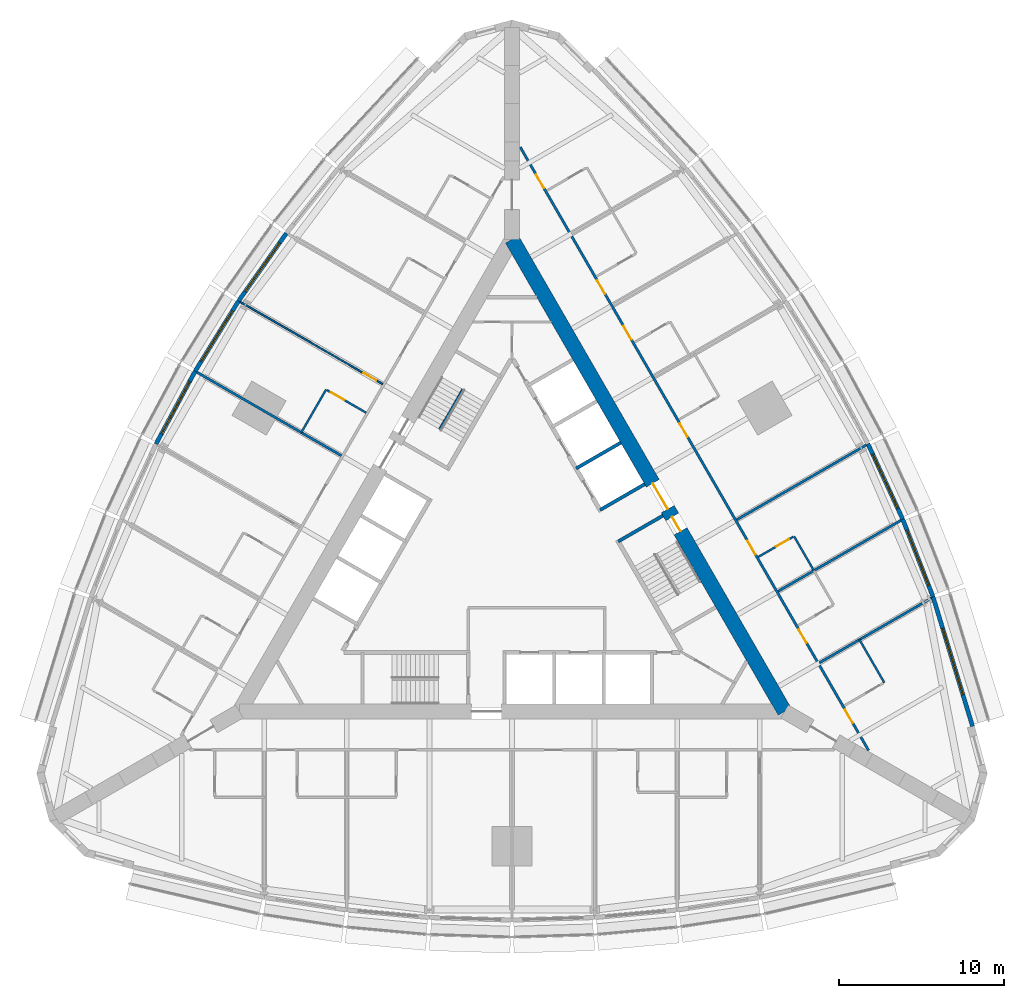
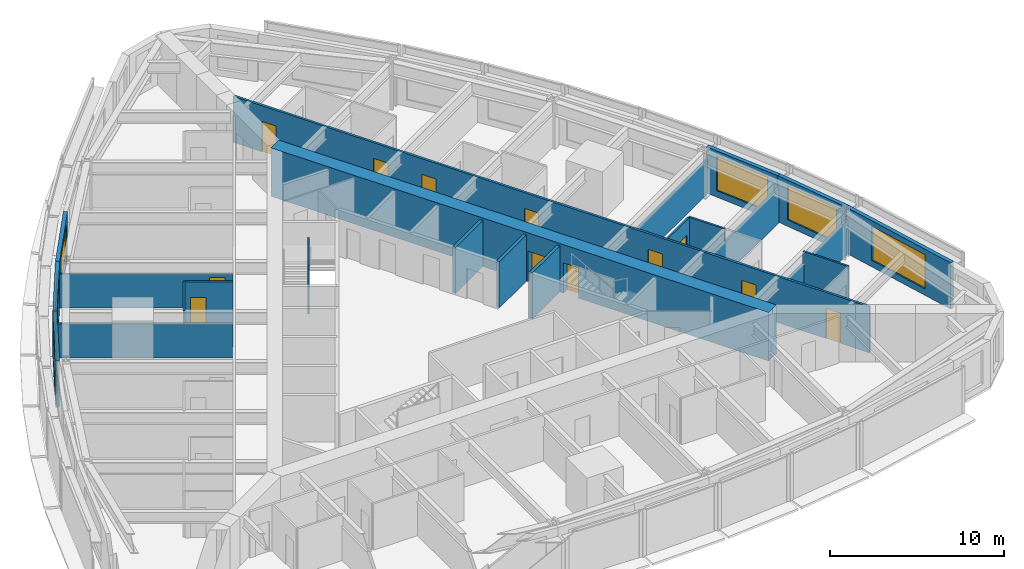
# One storey, part 11 of 14: 22 walls, 12 doors, 6 windows, 18 openings.
"""IFC4 building model written with IfcOpenShell, lengths in metres."""

from ifc_helpers import new_model, si_unit, direction, frame, frame_2d, origin, place, context, subcontext, project, spatial, rectangle, extrude, material, layer, layer_set, type_object, element, fill, save


model = new_model("IFC4")

# Units and contexts
model_context = context("Model", 3, precision=1e-05, world=origin(), true_north=direction((0.0, 1.0)))
body_context = subcontext(model_context, "Body", "Model", "MODEL_VIEW")
ifc_project = project(units=[si_unit("LENGTHUNIT", "METRE"), si_unit("AREAUNIT", "SQUARE_METRE"), si_unit("VOLUMEUNIT", "CUBIC_METRE"), si_unit("PLANEANGLEUNIT", "RADIAN"), si_unit("MASSUNIT", "GRAM", prefix="KILO")], contexts=[model_context])

# Site, building, storey
site_placement = place(None, origin())
site = spatial("IfcSite", under=ifc_project, at=site_placement, CompositionType="ELEMENT")
building_placement = place(site_placement, origin())
building = spatial("IfcBuilding", under=site, at=building_placement, Name="Trikona Tower", CompositionType="ELEMENT")
storey_placement = place(building_placement, frame((0.0, 0.0, 42.10009765625)))
storey = spatial("IfcBuildingStorey", under=building, at=storey_placement, Name="L09", CompositionType="ELEMENT", Elevation=42.10009765625)

# Walls
ifc_material_1 = material(Name="Metal stud and cement board", Category="gypsum")
ifc_layer_1 = layer(ifc_material_1, 0.1201171875)
ifc_layer_set_1 = layer_set([ifc_layer_1], Name="Bathroom wall 120")
wall_type_1 = type_object("IfcWallType", Name="Bathroom wall 120", PredefinedType="PLUMBINGWALL", material=ifc_layer_set_1)
wall_1_placement = place(storey_placement, frame((22.53271484375, -7.775390625, 0.0), z_axis=(0.0, 0.0, 1.0), x_axis=(-0.499990139034, 0.866031096941, 0.0)))
element("IfcWall", 1, at=wall_1_placement, inside=storey, type_object=wall_type_1, Name="Bathroom wall 0906", PredefinedType="PLUMBINGWALL", context=body_context, shape_type="SweptSolid", body=[
    extrude(rectangle(XDim=3.0, YDim=0.1201171875, at=frame_2d((1.5, 0.0))), origin(), (0.0, 0.0, 1.0), 3.23486328125),
])
wall_2_placement = place(storey_placement, frame((18.27294921875, -0.9970703125, 0.0), z_axis=(0.0, 0.0, 1.0), x_axis=(-0.500001309137, 0.866024647952, 0.0)))
element("IfcWall", 2, at=wall_2_placement, inside=storey, type_object=wall_type_1, Name="Bathroom wall 0908", PredefinedType="PLUMBINGWALL", context=body_context, shape_type="SweptSolid", body=[
    extrude(rectangle(XDim=2.39990234375, YDim=0.1201171875, at=frame_2d((1.199951171875, 0.0))), origin(), (0.0, 0.0, 1.0), 3.23486328125),
])

# Wall, opening, door
wall_3_placement = place(storey_placement, frame((14.907958984375, -0.168701171875, 0.0), z_axis=(0.0, 0.0, 1.0), x_axis=(0.866023955769, 0.500002508028, 0.0)))
wall_3 = element("IfcWall", 3, at=wall_3_placement, inside=storey, type_object=wall_type_1, Name="Bathroom wall 0908", PredefinedType="PLUMBINGWALL", context=body_context, shape_type="SweptSolid", body=[
    extrude(rectangle(XDim=2.43994140625, YDim=0.1201171875, at=frame_2d((1.219970703125, 0.0))), origin(), (0.0, 0.0, 1.0), 3.23486328125),
])
opening_1_placement = place(wall_3_placement, frame((1.25, 0.0, 0.0)))
opening_1 = element("IfcOpeningElement", 4, at=opening_1_placement, cuts=wall_3, Name="Opening D2", PredefinedType="OPENING", context=body_context, shape_type="SweptSolid", body=[
    extrude(rectangle(XDim=0.89990234375, YDim=2.1298828125, at=frame_2d((0.449951171875, 1.06494140625))), frame((0.0, 0.070068359375, 0.0), z_axis=(0.0, -1.0, 0.0), x_axis=(1.0, 0.0, 0.0)), (0.0, 0.0, 1.0), 0.14013671875),
])
ifc_material_2 = material(Name="Steel door frame with solid-core timber leaf", Category="steel")
door_type_1 = type_object("IfcDoorType", Name="Bathroom door 900x2130", OperationType="SLIDING_TO_LEFT", PredefinedType="DOOR", material=ifc_material_2)
door_1_placement = place(opening_1_placement, origin())
door_1 = element("IfcDoor", 5, at=door_1_placement, inside=storey, type_object=door_type_1, Name="Bathroom door 0908", OperationType="SLIDING_TO_LEFT", OverallHeight=2.1298828125, OverallWidth=0.89990234375, PredefinedType="DOOR", context=body_context, shape_type="SweptSolid", body=[
    extrude(rectangle(XDim=0.89990234375, YDim=2.1298828125, at=frame_2d((0.449951171875, 1.06494140625))), frame((0.0, 0.02490234375, 0.0), z_axis=(0.0, -1.0, 0.0), x_axis=(1.0, 0.0, 0.0)), (0.0, 0.0, 1.0), 0.050048828125),
])
fill(opening_1, door_1)

# Wall
wall_4_placement = place(storey_placement, frame((-11.25341796875, 9.961181640625, 0.0), z_axis=(0.0, 0.0, 1.0), x_axis=(-0.499990139034, -0.866031096941, 0.0)))
element("IfcWall", 6, at=wall_4_placement, inside=storey, type_object=wall_type_1, Name="Bathroom wall 0915.1", PredefinedType="PLUMBINGWALL", context=body_context, shape_type="SweptSolid", body=[
    extrude(rectangle(XDim=3.0, YDim=0.1201171875, at=frame_2d((1.5, 0.0))), origin(), (0.0, 0.0, 1.0), 3.23486328125),
])

# Wall, opening, door
wall_5_placement = place(storey_placement, frame((-8.82861328125, 8.561279296875, 0.0), z_axis=(0.0, 0.0, 1.0), x_axis=(-0.866035715982, 0.499982138324, 0.0)))
wall_5 = element("IfcWall", 7, at=wall_5_placement, inside=storey, type_object=wall_type_1, Name="Bathroom wall 0915.1", PredefinedType="PLUMBINGWALL", context=body_context, shape_type="SweptSolid", body=[
    extrude(rectangle(XDim=2.73974609375, YDim=0.1201171875, at=frame_2d((1.369873046875, 0.0))), origin(), (0.0, 0.0, 1.0), 3.23486328125),
])
opening_2_placement = place(wall_5_placement, frame((1.550048828125, 0.0, 0.0)))
opening_2 = element("IfcOpeningElement", 8, at=opening_2_placement, cuts=wall_5, Name="Opening D2", PredefinedType="OPENING", context=body_context, shape_type="SweptSolid", body=[
    extrude(rectangle(XDim=0.89990234375, YDim=2.1298828125, at=frame_2d((0.449951171875, 1.06494140625))), frame((0.0, 0.070068359375, 0.0), z_axis=(0.0, -1.0, 0.0), x_axis=(1.0, 0.0, 0.0)), (0.0, 0.0, 1.0), 0.14013671875),
])
door_2_placement = place(opening_2_placement, origin())
door_2 = element("IfcDoor", 9, at=door_2_placement, inside=storey, type_object=door_type_1, Name="Bathroom door 0915.1", OperationType="SLIDING_TO_LEFT", OverallHeight=2.1298828125, OverallWidth=0.89990234375, PredefinedType="DOOR", context=body_context, shape_type="SweptSolid", body=[
    extrude(rectangle(XDim=0.89990234375, YDim=2.1298828125, at=frame_2d((0.449951171875, 1.06494140625))), frame((0.0, 0.02490234375, 0.0), z_axis=(0.0, -1.0, 0.0), x_axis=(1.0, 0.0, 0.0)), (0.0, 0.0, 1.0), 0.050048828125),
])
fill(opening_2, door_2)

# Wall, openings, doors
ifc_material_3 = material(Name="Concrete f'c 10000 psi", Category="concrete")
ifc_layer_2 = layer(ifc_material_3, 0.89990234375)
ifc_layer_set_2 = layer_set([ifc_layer_2], Name="Core wall 900")
wall_type_2 = type_object("IfcWallType", Name="Core wall 900", PredefinedType="SHEAR", material=ifc_layer_set_2)
wall_6_placement = place(storey_placement, frame((16.5, -9.5263671875, 0.0), z_axis=(0.0, 0.0, 1.0), x_axis=(-0.499999749417, 0.866025548458, 0.0)))
wall_6 = element("IfcWall", 10, at=wall_6_placement, inside=storey, type_object=wall_type_2, Name="Core wall B", PredefinedType="SHEAR", context=body_context, shape_type="SweptSolid", body=[
    extrude(rectangle(XDim=33.0, YDim=0.89990234375, at=frame_2d((16.5, 0.0))), origin(), (0.0, 0.0, 1.0), 3.39990234375),
])
opening_3_placement = place(wall_6_placement, frame((14.14990234375, 0.0, 0.0)))
opening_3 = element("IfcOpeningElement", 11, at=opening_3_placement, cuts=wall_6, Name="Opening D6", PredefinedType="OPENING", context=body_context, shape_type="SweptSolid", body=[
    extrude(rectangle(XDim=1.800048828125, YDim=2.1298828125, at=frame_2d((0.89990234375, 1.06494140625))), frame((0.0, 0.4599609375, 0.0), z_axis=(0.0, -1.0, 0.0), x_axis=(1.0, 0.0, 0.0)), (0.0, 0.0, 1.0), 0.919921875),
])
opening_4_placement = place(wall_6_placement, frame((12.60009765625, 0.0, 0.0)))
opening_4 = element("IfcOpeningElement", 12, at=opening_4_placement, cuts=wall_6, Name="Opening D5", PredefinedType="OPENING", context=body_context, shape_type="SweptSolid", body=[
    extrude(rectangle(XDim=1.0, YDim=2.1298828125, at=frame_2d((0.5, 1.06494140625))), frame((0.0, 0.4599609375, 0.0), z_axis=(0.0, -1.0, 0.0), x_axis=(1.0, 0.0, 0.0)), (0.0, 0.0, 1.0), 0.919921875),
])
ifc_material_4 = material(Name="Hollow metal door and frame", Category="steel")
door_type_2 = type_object("IfcDoorType", Name="Lobby door pair 1800x2130", OperationType="DOUBLE_DOOR_SINGLE_SWING", PredefinedType="DOOR", material=ifc_material_4)
door_3_placement = place(opening_3_placement, origin())
door_3 = element("IfcDoor", 13, at=door_3_placement, inside=storey, type_object=door_type_2, Name="Lift lobby door B", OperationType="DOUBLE_DOOR_SINGLE_SWING", OverallHeight=2.1298828125, OverallWidth=1.800048828125, PredefinedType="DOOR", context=body_context, shape_type="SweptSolid", body=[
    extrude(rectangle(XDim=1.800048828125, YDim=2.1298828125, at=frame_2d((0.89990234375, 1.06494140625))), frame((0.0, 0.02490234375, 0.0), z_axis=(0.0, -1.0, 0.0), x_axis=(1.0, 0.0, 0.0)), (0.0, 0.0, 1.0), 0.050048828125),
])
fill(opening_3, door_3)
ifc_material_5 = material(Name="Hollow metal door and frame", Category="steel")
door_type_3 = type_object("IfcDoorType", Name="Stair door 1000x2130", OperationType="SINGLE_SWING_LEFT", PredefinedType="DOOR", material=ifc_material_5)
door_4_placement = place(opening_4_placement, origin())
door_4 = element("IfcDoor", 14, at=door_4_placement, inside=storey, type_object=door_type_3, Name="Stair B door", OperationType="SINGLE_SWING_RIGHT", OverallHeight=2.1298828125, OverallWidth=1.0, PredefinedType="DOOR", context=body_context, shape_type="SweptSolid", body=[
    extrude(rectangle(XDim=1.0, YDim=2.1298828125, at=frame_2d((0.5, 1.06494140625))), frame((0.0, 0.02490234375, 0.0), z_axis=(0.0, -1.0, 0.0), x_axis=(1.0, 0.0, 0.0)), (0.0, 0.0, 1.0), 0.050048828125),
])
fill(opening_4, door_4)

ifc_material_6 = material(Name="Metal stud and gypsum board, 1-hour", Category="gypsum")
ifc_layer_3 = layer(ifc_material_6, 0.14990234375)
ifc_layer_set_3 = layer_set([ifc_layer_3], Name="Corridor wall 150")
wall_type_3 = type_object("IfcWallType", Name="Corridor wall 150", PredefinedType="PARTITIONING", material=ifc_layer_set_3)
wall_7_placement = place(storey_placement, frame((21.5859375, -11.88525390625, 0.0), z_axis=(0.0, 0.0, 1.0), x_axis=(-0.500001915564, 0.86602429783, 0.0)))
wall_7 = element("IfcWall", 15, at=wall_7_placement, inside=storey, type_object=wall_type_3, Name="Corridor wall L09-2", PredefinedType="PARTITIONING", context=body_context, shape_type="SweptSolid", body=[
    extrude(rectangle(XDim=42.171630859375, YDim=0.14990234375, at=frame_2d((21.0859375, 0.0))), origin(), (0.0, 0.0, 1.0), 3.23486328125),
])
opening_5_placement = place(wall_7_placement, frame((1.910888671875, 0.0, 0.0)))
opening_5 = element("IfcOpeningElement", 16, at=opening_5_placement, cuts=wall_7, Name="Opening D1", PredefinedType="OPENING", context=body_context, shape_type="SweptSolid", body=[
    extrude(rectangle(XDim=0.949951171875, YDim=2.1298828125, at=frame_2d((0.47509765625, 1.06494140625))), frame((0.0, 0.0849609375, 0.0), z_axis=(0.0, -1.0, 0.0), x_axis=(1.0, 0.0, 0.0)), (0.0, 0.0, 1.0), 0.169921875),
])
opening_6_placement = place(wall_7_placement, frame((7.510986328125, 0.0, 0.0)))
opening_6 = element("IfcOpeningElement", 17, at=opening_6_placement, cuts=wall_7, Name="Opening D1", PredefinedType="OPENING", context=body_context, shape_type="SweptSolid", body=[
    extrude(rectangle(XDim=0.949951171875, YDim=2.1298828125, at=frame_2d((0.47509765625, 1.06494140625))), frame((0.0, 0.0849609375, 0.0), z_axis=(0.0, -1.0, 0.0), x_axis=(1.0, 0.0, 0.0)), (0.0, 0.0, 1.0), 0.169921875),
])
opening_7_placement = place(wall_7_placement, frame((13.7109375, 0.0, 0.0)))
opening_7 = element("IfcOpeningElement", 18, at=opening_7_placement, cuts=wall_7, Name="Opening D1", PredefinedType="OPENING", context=body_context, shape_type="SweptSolid", body=[
    extrude(rectangle(XDim=0.949951171875, YDim=2.1298828125, at=frame_2d((0.47509765625, 1.06494140625))), frame((0.0, 0.0849609375, 0.0), z_axis=(0.0, -1.0, 0.0), x_axis=(1.0, 0.0, 0.0)), (0.0, 0.0, 1.0), 0.169921875),
])
opening_8_placement = place(wall_7_placement, frame((21.910888671875, 0.0, 0.0)))
opening_8 = element("IfcOpeningElement", 19, at=opening_8_placement, cuts=wall_7, Name="Opening D1", PredefinedType="OPENING", context=body_context, shape_type="SweptSolid", body=[
    extrude(rectangle(XDim=0.949951171875, YDim=2.1298828125, at=frame_2d((0.47509765625, 1.06494140625))), frame((0.0, 0.0849609375, 0.0), z_axis=(0.0, -1.0, 0.0), x_axis=(1.0, 0.0, 0.0)), (0.0, 0.0, 1.0), 0.169921875),
])
opening_9_placement = place(wall_7_placement, frame((28.7109375, 0.0, 0.0)))
opening_9 = element("IfcOpeningElement", 20, at=opening_9_placement, cuts=wall_7, Name="Opening D1", PredefinedType="OPENING", context=body_context, shape_type="SweptSolid", body=[
    extrude(rectangle(XDim=0.949951171875, YDim=2.1298828125, at=frame_2d((0.47509765625, 1.06494140625))), frame((0.0, 0.0849609375, 0.0), z_axis=(0.0, -1.0, 0.0), x_axis=(1.0, 0.0, 0.0)), (0.0, 0.0, 1.0), 0.169921875),
])
opening_10_placement = place(wall_7_placement, frame((31.910888671875, 0.0, 0.0)))
opening_10 = element("IfcOpeningElement", 21, at=opening_10_placement, cuts=wall_7, Name="Opening D1", PredefinedType="OPENING", context=body_context, shape_type="SweptSolid", body=[
    extrude(rectangle(XDim=0.949951171875, YDim=2.1298828125, at=frame_2d((0.47509765625, 1.06494140625))), frame((0.0, 0.0849609375, 0.0), z_axis=(0.0, -1.0, 0.0), x_axis=(1.0, 0.0, 0.0)), (0.0, 0.0, 1.0), 0.169921875),
])
opening_11_placement = place(wall_7_placement, frame((39.310791015625, 0.0, 0.0)))
opening_11 = element("IfcOpeningElement", 22, at=opening_11_placement, cuts=wall_7, Name="Opening D1", PredefinedType="OPENING", context=body_context, shape_type="SweptSolid", body=[
    extrude(rectangle(XDim=0.949951171875, YDim=2.1298828125, at=frame_2d((0.47509765625, 1.06494140625))), frame((0.0, 0.0849609375, 0.0), z_axis=(0.0, -1.0, 0.0), x_axis=(1.0, 0.0, 0.0)), (0.0, 0.0, 1.0), 0.169921875),
])
ifc_material_7 = material(Name="Steel door frame with solid-core timber leaf", Category="steel")
door_type_4 = type_object("IfcDoorType", Name="Guest room door 950x2130", OperationType="SINGLE_SWING_LEFT", PredefinedType="DOOR", material=ifc_material_7)
door_5_placement = place(opening_5_placement, origin())
door_5 = element("IfcDoor", 23, at=door_5_placement, inside=storey, type_object=door_type_4, Name="Room door 0906", OperationType="SINGLE_SWING_LEFT", OverallHeight=2.1298828125, OverallWidth=0.949951171875, PredefinedType="DOOR", context=body_context, shape_type="SweptSolid", body=[
    extrude(rectangle(XDim=0.949951171875, YDim=2.1298828125, at=frame_2d((0.47509765625, 1.06494140625))), frame((0.0, 0.02490234375, 0.0), z_axis=(0.0, -1.0, 0.0), x_axis=(1.0, 0.0, 0.0)), (0.0, 0.0, 1.0), 0.050048828125),
])
fill(opening_5, door_5)
door_6_placement = place(opening_6_placement, origin())
door_6 = element("IfcDoor", 24, at=door_6_placement, inside=storey, type_object=door_type_4, Name="Room door 0907", OperationType="SINGLE_SWING_RIGHT", OverallHeight=2.1298828125, OverallWidth=0.949951171875, PredefinedType="DOOR", context=body_context, shape_type="SweptSolid", body=[
    extrude(rectangle(XDim=0.949951171875, YDim=2.1298828125, at=frame_2d((0.47509765625, 1.06494140625))), frame((0.0, 0.02490234375, 0.0), z_axis=(0.0, -1.0, 0.0), x_axis=(1.0, 0.0, 0.0)), (0.0, 0.0, 1.0), 0.050048828125),
])
fill(opening_6, door_6)
door_7_placement = place(opening_7_placement, origin())
door_7 = element("IfcDoor", 25, at=door_7_placement, inside=storey, type_object=door_type_4, Name="Room door 0908", OperationType="SINGLE_SWING_LEFT", OverallHeight=2.1298828125, OverallWidth=0.949951171875, PredefinedType="DOOR", context=body_context, shape_type="SweptSolid", body=[
    extrude(rectangle(XDim=0.949951171875, YDim=2.1298828125, at=frame_2d((0.47509765625, 1.06494140625))), frame((0.0, 0.02490234375, 0.0), z_axis=(0.0, -1.0, 0.0), x_axis=(1.0, 0.0, 0.0)), (0.0, 0.0, 1.0), 0.050048828125),
])
fill(opening_7, door_7)
door_8_placement = place(opening_8_placement, origin())
door_8 = element("IfcDoor", 26, at=door_8_placement, inside=storey, type_object=door_type_4, Name="Room door 0909", OperationType="SINGLE_SWING_RIGHT", OverallHeight=2.1298828125, OverallWidth=0.949951171875, PredefinedType="DOOR", context=body_context, shape_type="SweptSolid", body=[
    extrude(rectangle(XDim=0.949951171875, YDim=2.1298828125, at=frame_2d((0.47509765625, 1.06494140625))), frame((0.0, 0.02490234375, 0.0), z_axis=(0.0, -1.0, 0.0), x_axis=(1.0, 0.0, 0.0)), (0.0, 0.0, 1.0), 0.050048828125),
])
fill(opening_8, door_8)
door_9_placement = place(opening_9_placement, origin())
door_9 = element("IfcDoor", 27, at=door_9_placement, inside=storey, type_object=door_type_4, Name="Room door 0910", OperationType="SINGLE_SWING_LEFT", OverallHeight=2.1298828125, OverallWidth=0.949951171875, PredefinedType="DOOR", context=body_context, shape_type="SweptSolid", body=[
    extrude(rectangle(XDim=0.949951171875, YDim=2.1298828125, at=frame_2d((0.47509765625, 1.06494140625))), frame((0.0, 0.02490234375, 0.0), z_axis=(0.0, -1.0, 0.0), x_axis=(1.0, 0.0, 0.0)), (0.0, 0.0, 1.0), 0.050048828125),
])
fill(opening_9, door_9)
door_10_placement = place(opening_10_placement, origin())
door_10 = element("IfcDoor", 28, at=door_10_placement, inside=storey, type_object=door_type_4, Name="Room door 0911", OperationType="SINGLE_SWING_RIGHT", OverallHeight=2.1298828125, OverallWidth=0.949951171875, PredefinedType="DOOR", context=body_context, shape_type="SweptSolid", body=[
    extrude(rectangle(XDim=0.949951171875, YDim=2.1298828125, at=frame_2d((0.47509765625, 1.06494140625))), frame((0.0, 0.02490234375, 0.0), z_axis=(0.0, -1.0, 0.0), x_axis=(1.0, 0.0, 0.0)), (0.0, 0.0, 1.0), 0.050048828125),
])
fill(opening_10, door_10)
door_11_placement = place(opening_11_placement, origin())
door_11 = element("IfcDoor", 29, at=door_11_placement, inside=storey, type_object=door_type_4, Name="Room door 0912", OperationType="SINGLE_SWING_RIGHT", OverallHeight=2.1298828125, OverallWidth=0.949951171875, PredefinedType="DOOR", context=body_context, shape_type="SweptSolid", body=[
    extrude(rectangle(XDim=0.949951171875, YDim=2.1298828125, at=frame_2d((0.47509765625, 1.06494140625))), frame((0.0, 0.02490234375, 0.0), z_axis=(0.0, -1.0, 0.0), x_axis=(1.0, 0.0, 0.0)), (0.0, 0.0, 1.0), 0.050048828125),
])
fill(opening_11, door_11)

# Wall, opening, window
ifc_material_8 = material(Name="Insulated precast concrete spandrel panel", Category="concrete")
ifc_layer_4 = layer(ifc_material_8, 0.25)
ifc_layer_set_4 = layer_set([ifc_layer_4], Name="Inner skin wall 250")
wall_type_4 = type_object("IfcWallType", Name="Inner skin wall 250", PredefinedType="STANDARD", material=ifc_layer_set_4)
wall_8_placement = place(storey_placement, frame((27.88037109375, -10.4287109375, 0.0), z_axis=(0.0, 0.0, 1.0), x_axis=(-0.2919790669, 0.956424709265, 0.0)))
wall_8 = element("IfcWall", 30, at=wall_8_placement, inside=storey, type_object=wall_type_4, Name="External wall L09-12", PredefinedType="STANDARD", context=body_context, shape_type="SweptSolid", body=[
    extrude(rectangle(XDim=8.211181640625, YDim=0.25, at=frame_2d((4.10546875, 0.0))), origin(), (0.0, 0.0, 1.0), 3.23486328125),
])
opening_12_placement = place(wall_8_placement, frame((2.005615234375, 0.0, 0.449951171875)))
opening_12 = element("IfcOpeningElement", 31, at=opening_12_placement, cuts=wall_8, Name="Opening W4224", PredefinedType="OPENING", context=body_context, shape_type="SweptSolid", body=[
    extrude(rectangle(XDim=4.199951171875, YDim=2.39990234375, at=frame_2d((2.10009765625, 1.199951171875))), frame((0.0, 0.135009765625, 0.0), z_axis=(0.0, -1.0, 0.0), x_axis=(1.0, 0.0, 0.0)), (0.0, 0.0, 1.0), 0.27001953125),
])
ifc_material_9 = material(Name="Aluminium-framed double glazing", Category="aluminium")
window_type_1 = type_object("IfcWindowType", Name="Window 4200x2400", PartitioningType="SINGLE_PANEL", PredefinedType="WINDOW", material=ifc_material_9)
window_1_placement = place(opening_12_placement, origin())
window_1 = element("IfcWindow", 32, at=window_1_placement, inside=storey, type_object=window_type_1, Name="Window 0906", OverallHeight=2.39990234375, OverallWidth=4.199951171875, PartitioningType="SINGLE_PANEL", PredefinedType="WINDOW", context=body_context, shape_type="SweptSolid", body=[
    extrude(rectangle(XDim=4.199951171875, YDim=2.39990234375, at=frame_2d((2.10009765625, 1.199951171875))), frame((0.0, 0.030029296875, 0.0), z_axis=(0.0, -1.0, 0.0), x_axis=(1.0, 0.0, 0.0)), (0.0, 0.0, 1.0), 0.06005859375),
])
fill(opening_12, window_1)

wall_9_placement = place(storey_placement, frame((25.486083984375, -2.58447265625, 0.0), z_axis=(0.0, 0.0, 1.0), x_axis=(-0.364013463868, 0.931393685894, 0.0)))
wall_9 = element("IfcWall", 33, at=wall_9_placement, inside=storey, type_object=wall_type_4, Name="External wall L09-13", PredefinedType="STANDARD", context=body_context, shape_type="SweptSolid", body=[
    extrude(rectangle(XDim=5.0576171875, YDim=0.25, at=frame_2d((2.52880859375, 0.0))), origin(), (0.0, 0.0, 1.0), 3.23486328125),
])
opening_13_placement = place(wall_9_placement, frame((0.728759765625, 0.0, 0.449951171875)))
opening_13 = element("IfcOpeningElement", 34, at=opening_13_placement, cuts=wall_9, Name="Opening W3624", PredefinedType="OPENING", context=body_context, shape_type="SweptSolid", body=[
    extrude(rectangle(XDim=3.60009765625, YDim=2.39990234375, at=frame_2d((1.800048828125, 1.199951171875))), frame((0.0, 0.135009765625, 0.0), z_axis=(0.0, -1.0, 0.0), x_axis=(1.0, 0.0, 0.0)), (0.0, 0.0, 1.0), 0.27001953125),
])
ifc_material_10 = material(Name="Aluminium-framed double glazing", Category="aluminium")
window_type_2 = type_object("IfcWindowType", Name="Window 3600x2400", PartitioningType="SINGLE_PANEL", PredefinedType="WINDOW", material=ifc_material_10)
window_2_placement = place(opening_13_placement, origin())
window_2 = element("IfcWindow", 35, at=window_2_placement, inside=storey, type_object=window_type_2, Name="Window 0907", OverallHeight=2.39990234375, OverallWidth=3.60009765625, PartitioningType="SINGLE_PANEL", PredefinedType="WINDOW", context=body_context, shape_type="SweptSolid", body=[
    extrude(rectangle(XDim=3.60009765625, YDim=2.39990234375, at=frame_2d((1.800048828125, 1.199951171875))), frame((0.0, 0.030029296875, 0.0), z_axis=(0.0, -1.0, 0.0), x_axis=(1.0, 0.0, 0.0)), (0.0, 0.0, 1.0), 0.06005859375),
])
fill(opening_13, window_2)

wall_10_placement = place(storey_placement, frame((23.64794921875, 2.119384765625, 0.0), z_axis=(0.0, 0.0, 1.0), x_axis=(-0.419203100754, 0.907892482796, 0.0)))
wall_10 = element("IfcWall", 36, at=wall_10_placement, inside=storey, type_object=wall_type_4, Name="External wall L09-14", PredefinedType="STANDARD", context=body_context, shape_type="SweptSolid", body=[
    extrude(rectangle(XDim=5.020751953125, YDim=0.25, at=frame_2d((2.51025390625, 0.0))), origin(), (0.0, 0.0, 1.0), 3.23486328125),
])
opening_14_placement = place(wall_10_placement, frame((0.71044921875, 0.0, 0.449951171875)))
opening_14 = element("IfcOpeningElement", 37, at=opening_14_placement, cuts=wall_10, Name="Opening W3624", PredefinedType="OPENING", context=body_context, shape_type="SweptSolid", body=[
    extrude(rectangle(XDim=3.60009765625, YDim=2.39990234375, at=frame_2d((1.800048828125, 1.199951171875))), frame((0.0, 0.135009765625, 0.0), z_axis=(0.0, -1.0, 0.0), x_axis=(1.0, 0.0, 0.0)), (0.0, 0.0, 1.0), 0.27001953125),
])
window_3_placement = place(opening_14_placement, origin())
window_3 = element("IfcWindow", 38, at=window_3_placement, inside=storey, type_object=window_type_2, Name="Window 0908", OverallHeight=2.39990234375, OverallWidth=3.60009765625, PartitioningType="SINGLE_PANEL", PredefinedType="WINDOW", context=body_context, shape_type="SweptSolid", body=[
    extrude(rectangle(XDim=3.60009765625, YDim=2.39990234375, at=frame_2d((1.800048828125, 1.199951171875))), frame((0.0, 0.030029296875, 0.0), z_axis=(0.0, -1.0, 0.0), x_axis=(1.0, 0.0, 0.0)), (0.0, 0.0, 1.0), 0.06005859375),
])
fill(opening_14, window_3)

wall_11_placement = place(storey_placement, frame((-13.659423828125, 19.420166015625, 0.0), z_axis=(0.0, 0.0, 1.0), x_axis=(-0.5766431066, -0.81699616132, 0.0)))
wall_11 = element("IfcWall", 39, at=wall_11_placement, inside=storey, type_object=wall_type_4, Name="External wall L09-26", PredefinedType="STANDARD", context=body_context, shape_type="SweptSolid", body=[
    extrude(rectangle(XDim=5.02099609375, YDim=0.25, at=frame_2d((2.510498046875, 0.0))), origin(), (0.0, 0.0, 1.0), 3.23486328125),
])
opening_15_placement = place(wall_11_placement, frame((0.71044921875, 0.0, 0.449951171875)))
opening_15 = element("IfcOpeningElement", 40, at=opening_15_placement, cuts=wall_11, Name="Opening W3624", PredefinedType="OPENING", context=body_context, shape_type="SweptSolid", body=[
    extrude(rectangle(XDim=3.60009765625, YDim=2.39990234375, at=frame_2d((1.800048828125, 1.199951171875))), frame((0.0, 0.135009765625, 0.0), z_axis=(0.0, -1.0, 0.0), x_axis=(1.0, 0.0, 0.0)), (0.0, 0.0, 1.0), 0.27001953125),
])
window_4_placement = place(opening_15_placement, origin())
window_4 = element("IfcWindow", 41, at=window_4_placement, inside=storey, type_object=window_type_2, Name="Window 0915", OverallHeight=2.39990234375, OverallWidth=3.60009765625, PartitioningType="SINGLE_PANEL", PredefinedType="WINDOW", context=body_context, shape_type="SweptSolid", body=[
    extrude(rectangle(XDim=3.60009765625, YDim=2.39990234375, at=frame_2d((1.800048828125, 1.199951171875))), frame((0.0, 0.030029296875, 0.0), z_axis=(0.0, -1.0, 0.0), x_axis=(1.0, 0.0, 0.0)), (0.0, 0.0, 1.0), 0.06005859375),
])
fill(opening_15, window_4)

wall_12_placement = place(storey_placement, frame((-16.550537109375, 15.324462890625, 0.0), z_axis=(0.0, 0.0, 1.0), x_axis=(-0.526132807704, -0.850402415717, 0.0)))
wall_12 = element("IfcWall", 42, at=wall_12_placement, inside=storey, type_object=wall_type_4, Name="External wall L09-27", PredefinedType="STANDARD", context=body_context, shape_type="SweptSolid", body=[
    extrude(rectangle(XDim=5.002197265625, YDim=0.25, at=frame_2d((2.5009765625, 0.0))), origin(), (0.0, 0.0, 1.0), 3.23486328125),
])
opening_16_placement = place(wall_12_placement, frame((0.701171875, 0.0, 0.449951171875)))
opening_16 = element("IfcOpeningElement", 43, at=opening_16_placement, cuts=wall_12, Name="Opening W3624", PredefinedType="OPENING", context=body_context, shape_type="SweptSolid", body=[
    extrude(rectangle(XDim=3.60009765625, YDim=2.39990234375, at=frame_2d((1.800048828125, 1.199951171875))), frame((0.0, 0.135009765625, 0.0), z_axis=(0.0, -1.0, 0.0), x_axis=(1.0, 0.0, 0.0)), (0.0, 0.0, 1.0), 0.27001953125),
])
window_5_placement = place(opening_16_placement, origin())
window_5 = element("IfcWindow", 44, at=window_5_placement, inside=storey, type_object=window_type_2, Name="Window 0915.1", OverallHeight=2.39990234375, OverallWidth=3.60009765625, PartitioningType="SINGLE_PANEL", PredefinedType="WINDOW", context=body_context, shape_type="SweptSolid", body=[
    extrude(rectangle(XDim=3.60009765625, YDim=2.39990234375, at=frame_2d((1.800048828125, 1.199951171875))), frame((0.0, 0.030029296875, 0.0), z_axis=(0.0, -1.0, 0.0), x_axis=(1.0, 0.0, 0.0)), (0.0, 0.0, 1.0), 0.06005859375),
])
fill(opening_16, window_5)

wall_13_placement = place(storey_placement, frame((-19.178466796875, 11.0771484375, 0.0), z_axis=(0.0, 0.0, 1.0), x_axis=(-0.473412820489, -0.880840678782, 0.0)))
wall_13 = element("IfcWall", 45, at=wall_13_placement, inside=storey, type_object=wall_type_4, Name="External wall L09-28", PredefinedType="STANDARD", context=body_context, shape_type="SweptSolid", body=[
    extrude(rectangle(XDim=5.00244140625, YDim=0.25, at=frame_2d((2.501220703125, 0.0))), origin(), (0.0, 0.0, 1.0), 3.23486328125),
])
opening_17_placement = place(wall_13_placement, frame((0.701171875, 0.0, 0.449951171875)))
opening_17 = element("IfcOpeningElement", 46, at=opening_17_placement, cuts=wall_13, Name="Opening W3624", PredefinedType="OPENING", context=body_context, shape_type="SweptSolid", body=[
    extrude(rectangle(XDim=3.60009765625, YDim=2.39990234375, at=frame_2d((1.800048828125, 1.199951171875))), frame((0.0, 0.135009765625, 0.0), z_axis=(0.0, -1.0, 0.0), x_axis=(1.0, 0.0, 0.0)), (0.0, 0.0, 1.0), 0.27001953125),
])
window_6_placement = place(opening_17_placement, origin())
window_6 = element("IfcWindow", 47, at=window_6_placement, inside=storey, type_object=window_type_2, Name="Window 0916", OverallHeight=2.39990234375, OverallWidth=3.60009765625, PartitioningType="SINGLE_PANEL", PredefinedType="WINDOW", context=body_context, shape_type="SweptSolid", body=[
    extrude(rectangle(XDim=3.60009765625, YDim=2.39990234375, at=frame_2d((1.800048828125, 1.199951171875))), frame((0.0, 0.030029296875, 0.0), z_axis=(0.0, -1.0, 0.0), x_axis=(1.0, 0.0, 0.0)), (0.0, 0.0, 1.0), 0.06005859375),
])
fill(opening_17, window_6)

# Walls
ifc_material_11 = material(Name="Metal stud and gypsum board, 1-hour acoustic", Category="gypsum")
ifc_layer_5 = layer(ifc_material_11, 0.14990234375)
ifc_layer_set_5 = layer_set([ifc_layer_5], Name="Party wall 150")
wall_type_5 = type_object("IfcWallType", Name="Party wall 150", PredefinedType="PARTITIONING", material=ifc_layer_set_5)
wall_14_placement = place(storey_placement, frame((18.60791015625, -6.5771484375, 0.0), z_axis=(0.0, 0.0, 1.0), x_axis=(0.866034818847, 0.499983692279, 0.0)))
element("IfcWall", 48, at=wall_14_placement, inside=storey, type_object=wall_type_5, Name="Partition L09 F2 u-15", PredefinedType="PARTITIONING", context=body_context, shape_type="SweptSolid", body=[
    extrude(rectangle(XDim=7.820068359375, YDim=0.14990234375, at=frame_2d((3.91015625, 0.0))), origin(), (0.0, 0.0, 1.0), 2.38916015625),
])
wall_15_placement = place(storey_placement, frame((16.10791015625, -2.2470703125, 0.0), z_axis=(0.0, 0.0, 1.0), x_axis=(0.866018881988, 0.500011295912, 0.0)))
element("IfcWall", 49, at=wall_15_placement, inside=storey, type_object=wall_type_5, Name="Partition L09 F2 u-10", PredefinedType="PARTITIONING", context=body_context, shape_type="SweptSolid", body=[
    extrude(rectangle(XDim=8.584716796875, YDim=0.14990234375, at=frame_2d((4.29248046875, 0.0))), origin(), (0.0, 0.0, 1.0), 2.38916015625),
])
wall_16_placement = place(storey_placement, frame((13.60791015625, 2.0830078125, 0.0), z_axis=(0.0, 0.0, 1.0), x_axis=(0.866028232062, 0.499995101247, 0.0)))
element("IfcWall", 50, at=wall_16_placement, inside=storey, type_object=wall_type_5, Name="Partition L09 F2 u-5", PredefinedType="PARTITIONING", context=body_context, shape_type="SweptSolid", body=[
    extrude(rectangle(XDim=9.04296875, YDim=0.14990234375, at=frame_2d((4.521484375, 0.0))), origin(), (0.0, 0.0, 1.0), 2.38916015625),
])
wall_17_placement = place(storey_placement, frame((-10.32861328125, 5.963134765625, 0.0), z_axis=(0.0, 0.0, 1.0), x_axis=(-0.866021688545, 0.500006434927, 0.0)))
element("IfcWall", 51, at=wall_17_placement, inside=storey, type_object=wall_type_5, Name="Partition L09 F3 u-5.10703e-15", PredefinedType="PARTITIONING", context=body_context, shape_type="SweptSolid", body=[
    extrude(rectangle(XDim=10.095947265625, YDim=0.14990234375, at=frame_2d((5.0478515625, 0.0))), origin(), (0.0, 0.0, 1.0), 2.38916015625),
])
ifc_material_12 = material(Name="Concrete f'c 8000 psi", Category="concrete")
ifc_layer_6 = layer(ifc_material_12, 0.199951171875)
ifc_layer_set_6 = layer_set([ifc_layer_6], Name="Shaft wall 200")
wall_type_6 = type_object("IfcWallType", Name="Shaft wall 200", PredefinedType="SOLIDWALL", material=ifc_layer_set_6)
for number, where, z_axis, x_axis, name in (
    (52, (5.3291015625, 2.672607421875, 0.0), (0.0, 0.0, 1.0), (0.866022959057, 0.500004234368, 0.0), "Shaft wall B3"),
    (53, (3.87890625, 5.18408203125, 0.0), (0.0, 0.0, 1.0), (0.866022959057, 0.500004234368, 0.0), "Shaft wall B4"),
):
    element("IfcWall", number, at=place(storey_placement, frame(where, z_axis=z_axis, x_axis=x_axis)), inside=storey, type_object=wall_type_6, Name=name, PredefinedType="SOLIDWALL", context=body_context, shape_type="SweptSolid", body=[
        extrude(rectangle(XDim=3.125, YDim=0.199951171875, at=frame_2d((1.5625, 0.0))), origin(), (0.0, 0.0, 1.0), 3.23486328125),
    ])
ifc_material_13 = material(Name="Concrete f'c 8000 psi", Category="concrete")
ifc_layer_7 = layer(ifc_material_13, 0.199951171875)
ifc_layer_set_7 = layer_set([ifc_layer_7], Name="Shaft wall 200 load-bearing")
wall_type_7 = type_object("IfcWallType", Name="Shaft wall 200 load-bearing", PredefinedType="SOLIDWALL", material=ifc_layer_set_7)
wall_18_placement = place(storey_placement, frame((6.428955078125, 0.767333984375, 0.0), z_axis=(0.0, 0.0, 1.0), x_axis=(0.866022959057, 0.500004234368, 0.0)))
element("IfcWall", 54, at=wall_18_placement, inside=storey, type_object=wall_type_7, Name="Shaft wall B2", PredefinedType="SOLIDWALL", context=body_context, shape_type="SweptSolid", body=[
    extrude(rectangle(XDim=3.125, YDim=0.199951171875, at=frame_2d((1.5625, 0.0))), origin(), (0.0, 0.0, 1.0), 3.23486328125),
])
ifc_material_14 = material(Name="Concrete f'c 5000 psi", Category="concrete")
ifc_layer_8 = layer(ifc_material_14, 0.10009765625)
ifc_layer_set_8 = layer_set([ifc_layer_8], Name="Stair spine wall 100")
wall_type_8 = type_object("IfcWallType", Name="Stair spine wall 100", PredefinedType="SOLIDWALL", material=ifc_layer_set_8)
wall_19_placement = place(storey_placement, frame((-2.98779296875, 9.9775390625, 0.0), z_axis=(0.0, 0.0, 1.0), x_axis=(-0.499992232847, -0.866029888106, 0.0)))
element("IfcWall", 55, at=wall_19_placement, inside=storey, type_object=wall_type_8, Name="Stair C spine wall L09", PredefinedType="SOLIDWALL", context=body_context, shape_type="SweptSolid", body=[
    extrude(rectangle(XDim=2.7939453125, YDim=0.10009765625, at=frame_2d((1.39697265625, 0.0))), origin(), (0.0, 0.0, 1.0), 3.39990234375),
])

# Wall, opening, door
ifc_material_15 = material(Name="Metal stud and gypsum board, acoustic", Category="gypsum")
ifc_layer_9 = layer(ifc_material_15, 0.10009765625)
ifc_layer_set_9 = layer_set([ifc_layer_9], Name="Suite partition 100")
wall_type_9 = type_object("IfcWallType", Name="Suite partition 100", PredefinedType="PARTITIONING", material=ifc_layer_set_9)
wall_20_placement = place(storey_placement, frame((-7.82861328125, 10.293212890625, 0.0), z_axis=(0.0, 0.0, 1.0), x_axis=(-0.866016302457, 0.50001576363, 0.0)))
wall_20 = element("IfcWall", 56, at=wall_20_placement, inside=storey, type_object=wall_type_9, Name="Suite partition L09 F3 u-5", PredefinedType="PARTITIONING", context=body_context, shape_type="SweptSolid", body=[
    extrude(rectangle(XDim=9.943115234375, YDim=0.10009765625, at=frame_2d((4.9716796875, 0.0))), origin(), (0.0, 0.0, 1.0), 2.38916015625),
])
opening_18_placement = place(wall_20_placement, frame((0.449951171875, 0.0, 0.0)))
opening_18 = element("IfcOpeningElement", 57, at=opening_18_placement, cuts=wall_20, Name="Opening D13", PredefinedType="OPENING", context=body_context, shape_type="SweptSolid", body=[
    extrude(rectangle(XDim=0.89990234375, YDim=2.1298828125, at=frame_2d((0.449951171875, 1.06494140625))), frame((0.0, 0.06005859375, 0.0), z_axis=(0.0, -1.0, 0.0), x_axis=(1.0, 0.0, 0.0)), (0.0, 0.0, 1.0), 0.1201171875),
])
ifc_material_16 = material(Name="Steel door frame with solid-core timber leaf", Category="steel")
door_type_5 = type_object("IfcDoorType", Name="Suite door 900x2130", OperationType="SINGLE_SWING_LEFT", PredefinedType="DOOR", material=ifc_material_16)
door_12_placement = place(opening_18_placement, origin())
door_12 = element("IfcDoor", 58, at=door_12_placement, inside=storey, type_object=door_type_5, Name="Suite door 0915", OperationType="SINGLE_SWING_LEFT", OverallHeight=2.1298828125, OverallWidth=0.89990234375, PredefinedType="DOOR", context=body_context, shape_type="SweptSolid", body=[
    extrude(rectangle(XDim=0.89990234375, YDim=2.1298828125, at=frame_2d((0.449951171875, 1.06494140625))), frame((0.0, 0.02490234375, 0.0), z_axis=(0.0, -1.0, 0.0), x_axis=(1.0, 0.0, 0.0)), (0.0, 0.0, 1.0), 0.050048828125),
])
fill(opening_18, door_12)

save(model, "model.ifc")
